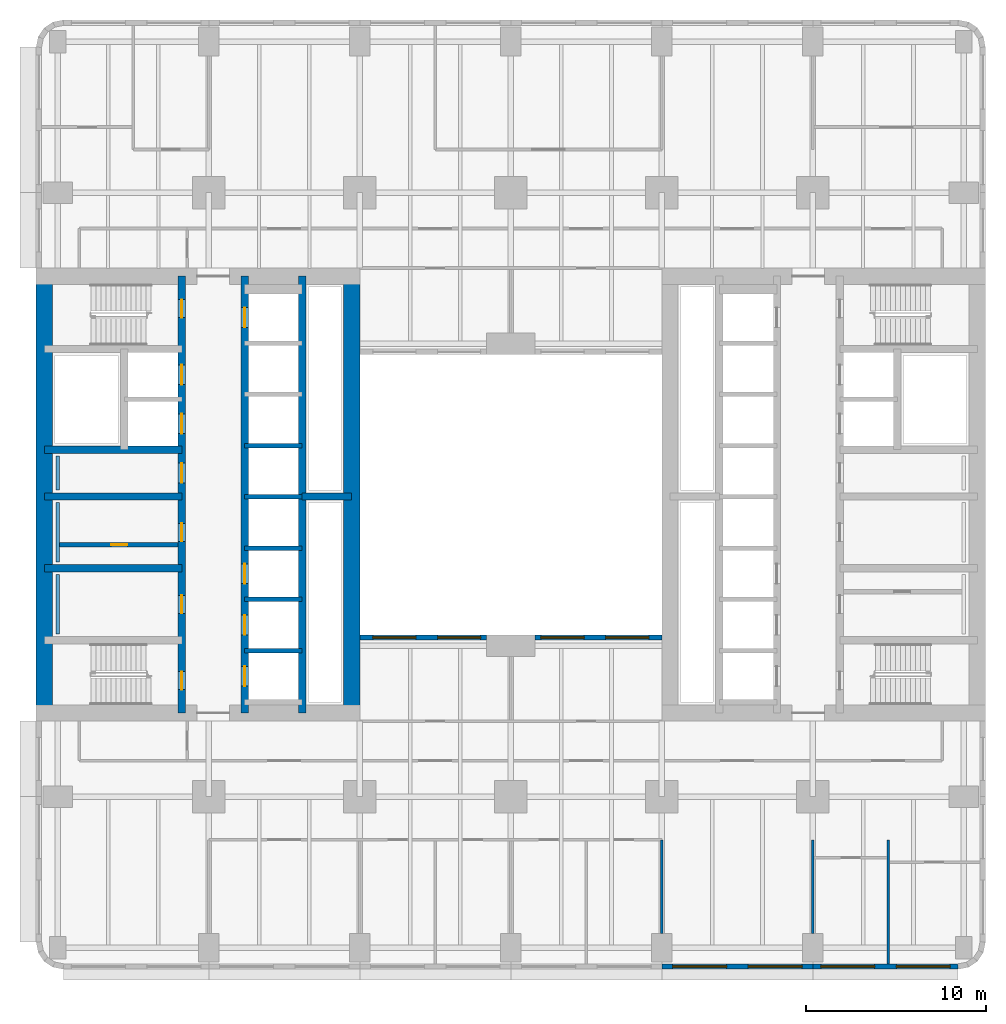
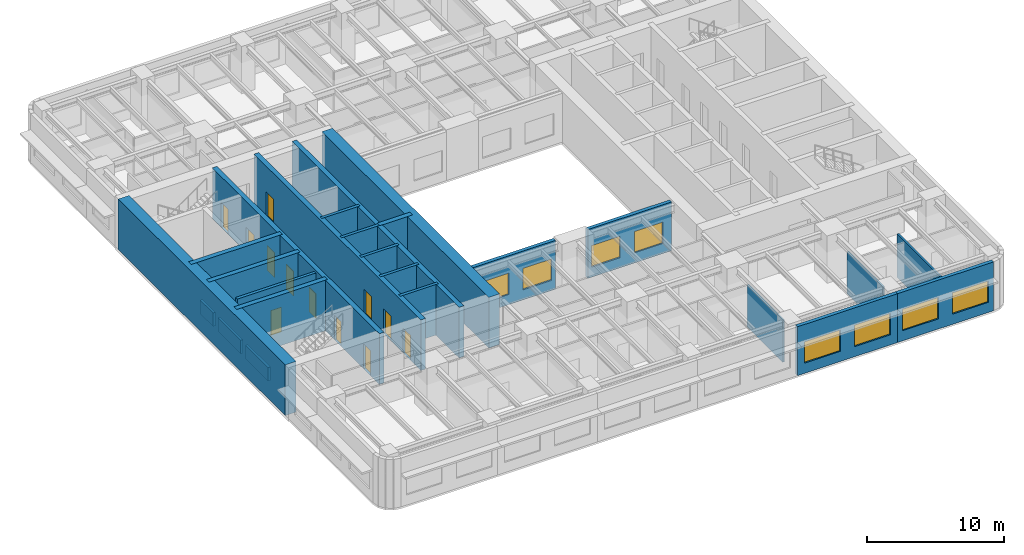
# One storey, part 4 of 14: 25 walls, 12 doors, 8 windows, 20 openings.
"""IFC4 building model written with IfcOpenShell, lengths in metres."""

from ifc_helpers import new_model, si_unit, direction, frame, frame_2d, origin, place, context, subcontext, project, spatial, rectangle, extrude, material, layer, layer_set, type_object, element, fill, save


model = new_model("IFC4")

# Units and contexts
model_context = context("Model", 3, precision=1e-05, world=origin(), true_north=direction((0.0, 1.0)))
body_context = subcontext(model_context, "Body", "Model", "MODEL_VIEW")
ifc_project = project(units=[si_unit("LENGTHUNIT", "METRE"), si_unit("AREAUNIT", "SQUARE_METRE"), si_unit("VOLUMEUNIT", "CUBIC_METRE"), si_unit("PLANEANGLEUNIT", "RADIAN"), si_unit("MASSUNIT", "GRAM", prefix="KILO")], contexts=[model_context])

# Site, building, storey
site_placement = place(None, origin())
site = spatial("IfcSite", under=ifc_project, at=site_placement, CompositionType="ELEMENT")
building_placement = place(site_placement, origin())
building = spatial("IfcBuilding", under=site, at=building_placement, Name="Claustro Exchange Tower", CompositionType="ELEMENT")
storey_placement = place(building_placement, frame((0.0, 0.0, 59.39990234375)))
storey = spatial("IfcBuildingStorey", under=building, at=storey_placement, Name="L13", CompositionType="ELEMENT", Elevation=59.39990234375)

# Walls
ifc_material_1 = material(Name="Gypsum board on steel studs", Category="steel")
ifc_layer_1 = layer(ifc_material_1, 0.14990234375)
ifc_layer_set_1 = layer_set([ifc_layer_1], Name="Gypsum board on steel studs")
wall_type_1 = type_object("IfcWallType", Name="P1 150 plasterboard partition", PredefinedType="PARTITIONING", material=ifc_layer_set_1)
for number, where, z_axis, x_axis, name in (
    (1, (33.60009765625, 0.799072265625, 0.0), (0.0, 0.0, 1.0), (0.0, 1.0, 0.0), "Partition P1 L13"),
    (2, (42.0, 0.799072265625, 0.0), (0.0, 0.0, 1.0), (0.0, 1.0, 0.0), "Partition P1 L13"),
):
    element("IfcWall", number, at=place(storey_placement, frame(where, z_axis=z_axis, x_axis=x_axis)), inside=storey, type_object=wall_type_1, Name=name, PredefinedType="PARTITIONING", context=body_context, shape_type="SweptSolid", body=[
        extrude(rectangle(XDim=5.200927734375, YDim=0.14990234375, at=frame_2d((2.6005859375, 0.0))), origin(), (0.0, 0.0, 1.0), 3.739990234375),
    ])
wall_1_placement = place(storey_placement, frame((46.199951171875, -0.902099609375, 0.0), z_axis=(0.0, 0.0, 1.0), x_axis=(0.0, 1.0, 0.0)))
element("IfcWall", 3, at=wall_1_placement, inside=storey, type_object=wall_type_1, Name="Partition P1 L13", PredefinedType="PARTITIONING", context=body_context, shape_type="SweptSolid", body=[
    extrude(rectangle(XDim=6.902099609375, YDim=0.14990234375, at=frame_2d((3.451171875, 0.0))), origin(), (0.0, 0.0, 1.0), 3.840087890625),
])

# Wall, opening, door
ifc_material_2 = material(Name="Concrete blockwork, rendered", Category="masonry")
ifc_layer_2 = layer(ifc_material_2, 0.25)
ifc_layer_set_2 = layer_set([ifc_layer_2], Name="Concrete blockwork, rendered")
wall_type_2 = type_object("IfcWallType", Name="P4 250 blockwork wall", PredefinedType="PARTITIONING", material=ifc_layer_set_2)
wall_2_placement = place(storey_placement, frame((0.10009765625, 22.39990234375, 0.0), z_axis=(0.0, 0.0, 1.0), x_axis=(1.0, 0.0, 0.0)))
wall_2 = element("IfcWall", 4, at=wall_2_placement, inside=storey, type_object=wall_type_2, Name="Partition P4 L13", PredefinedType="PARTITIONING", context=body_context, shape_type="SweptSolid", body=[
    extrude(rectangle(XDim=6.599853515625, YDim=0.25, at=frame_2d((3.2998046875, 0.0))), origin(), (0.0, 0.0, 1.0), 4.300048828125),
])
opening_1_placement = place(wall_2_placement, frame((2.875, 0.0, 0.0)))
opening_1 = element("IfcOpeningElement", 5, at=opening_1_placement, cuts=wall_2, Name="Opening D5", PredefinedType="OPENING", context=body_context, shape_type="SweptSolid", body=[
    extrude(rectangle(XDim=0.89990234375, YDim=2.199951171875, at=frame_2d((0.449951171875, 1.10009765625))), frame((0.0, 0.135009765625, 0.0), z_axis=(0.0, -1.0, 0.0), x_axis=(1.0, 0.0, 0.0)), (0.0, 0.0, 1.0), 0.27001953125),
])
ifc_material_3 = material(Name="Steel door, painted", Category="steel")
door_type_1 = type_object("IfcDoorType", Name="D5 900 x 2200 store door", OperationType="SINGLE_SWING_LEFT", PredefinedType="DOOR", material=ifc_material_3)
door_1_placement = place(opening_1_placement, frame((0.89990234375, 0.0, 0.0), z_axis=(0.0, 0.0, 1.0), x_axis=(-1.0, 0.0, 0.0)))
door_1 = element("IfcDoor", 6, at=door_1_placement, inside=storey, type_object=door_type_1, Name="Store door D5 L13", OperationType="SINGLE_SWING_RIGHT", OverallHeight=2.199951171875, OverallWidth=0.89990234375, PredefinedType="DOOR", context=body_context, shape_type="SweptSolid", body=[
    extrude(rectangle(XDim=0.89990234375, YDim=2.199951171875, at=frame_2d((0.449951171875, 1.10009765625))), frame((0.0, 0.02490234375, 0.0), z_axis=(0.0, -1.0, 0.0), x_axis=(1.0, 0.0, 0.0)), (0.0, 0.0, 1.0), 0.050048828125),
])
fill(opening_1, door_1)

# Wall, openings, windows
ifc_material_4 = material(Name="Concrete HA-40 (C40/50), precast, white cement, acid-etched", Category="concrete")
ifc_layer_3 = layer(ifc_material_4, 0.300048828125)
ifc_layer_set_3 = layer_set([ifc_layer_3], Name="Concrete HA-40 (C40/50), precast, white cement, acid-etched")
wall_type_3 = type_object("IfcWallType", Name="PC1 300 precast concrete pier panel", PredefinedType="SOLIDWALL", material=ifc_layer_set_3)
wall_3_placement = place(storey_placement, frame((50.085205078125, -1.050048828125, 0.0), z_axis=(0.0, 0.0, 1.0), x_axis=(-1.0, 0.0, 0.0)))
wall_3 = element("IfcWall", 7, at=wall_3_placement, inside=storey, type_object=wall_type_3, Name="Precast pier panel PC1 L13", PredefinedType="SOLIDWALL", context=body_context, shape_type="SweptSolid", body=[
    extrude(rectangle(XDim=8.085205078125, YDim=0.300048828125, at=frame_2d((4.04248046875, 0.0))), origin(), (0.0, 0.0, 1.0), 4.340087890625),
])
opening_2_placement = place(wall_3_placement, frame((0.442626953125, 0.0, 0.89990234375)))
opening_2 = element("IfcOpeningElement", 8, at=opening_2_placement, cuts=wall_3, Name="Opening W1", PredefinedType="OPENING", context=body_context, shape_type="SweptSolid", body=[
    extrude(rectangle(XDim=3.0, YDim=1.89990234375, at=frame_2d((1.5, 0.949951171875))), frame((0.0, 0.159912109375, 0.0), z_axis=(0.0, -1.0, 0.0), x_axis=(1.0, 0.0, 0.0)), (0.0, 0.0, 1.0), 0.320068359375),
])
opening_3_placement = place(wall_3_placement, frame((4.642578125, 0.0, 0.89990234375)))
opening_3 = element("IfcOpeningElement", 9, at=opening_3_placement, cuts=wall_3, Name="Opening W1", PredefinedType="OPENING", context=body_context, shape_type="SweptSolid", body=[
    extrude(rectangle(XDim=3.0, YDim=1.89990234375, at=frame_2d((1.5, 0.949951171875))), frame((0.0, 0.159912109375, 0.0), z_axis=(0.0, -1.0, 0.0), x_axis=(1.0, 0.0, 0.0)), (0.0, 0.0, 1.0), 0.320068359375),
])
ifc_material_5 = material(Name="Aluminium frame, clear double glazing", Category="aluminium")
window_type_1 = type_object("IfcWindowType", Name="W1 3000 x 1900 window", PartitioningType="SINGLE_PANEL", PredefinedType="WINDOW", material=ifc_material_5)
window_1_placement = place(opening_2_placement, origin())
window_1 = element("IfcWindow", 10, at=window_1_placement, inside=storey, type_object=window_type_1, Name="Window W1 L13", OverallHeight=1.89990234375, OverallWidth=3.0, PartitioningType="SINGLE_PANEL", PredefinedType="WINDOW", context=body_context, shape_type="SweptSolid", body=[
    extrude(rectangle(XDim=3.0, YDim=1.89990234375, at=frame_2d((1.5, 0.949951171875))), frame((0.0, 0.030029296875, 0.0), z_axis=(0.0, -1.0, 0.0), x_axis=(1.0, 0.0, 0.0)), (0.0, 0.0, 1.0), 0.06005859375),
])
fill(opening_2, window_1)
window_2_placement = place(opening_3_placement, origin())
window_2 = element("IfcWindow", 11, at=window_2_placement, inside=storey, type_object=window_type_1, Name="Window W1 L13", OverallHeight=1.89990234375, OverallWidth=3.0, PartitioningType="SINGLE_PANEL", PredefinedType="WINDOW", context=body_context, shape_type="SweptSolid", body=[
    extrude(rectangle(XDim=3.0, YDim=1.89990234375, at=frame_2d((1.5, 0.949951171875))), frame((0.0, 0.030029296875, 0.0), z_axis=(0.0, -1.0, 0.0), x_axis=(1.0, 0.0, 0.0)), (0.0, 0.0, 1.0), 0.06005859375),
])
fill(opening_3, window_2)

wall_4_placement = place(storey_placement, frame((42.0, -1.050048828125, 0.0), z_axis=(0.0, 0.0, 1.0), x_axis=(-1.0, 0.0, 0.0)))
wall_4 = element("IfcWall", 12, at=wall_4_placement, inside=storey, type_object=wall_type_3, Name="Precast pier panel PC1 L13", PredefinedType="SOLIDWALL", context=body_context, shape_type="SweptSolid", body=[
    extrude(rectangle(XDim=8.39990234375, YDim=0.300048828125, at=frame_2d((4.199951171875, 0.0))), origin(), (0.0, 0.0, 1.0), 4.340087890625),
])
opening_4_placement = place(wall_4_placement, frame((0.60009765625, 0.0, 0.89990234375)))
opening_4 = element("IfcOpeningElement", 13, at=opening_4_placement, cuts=wall_4, Name="Opening W1", PredefinedType="OPENING", context=body_context, shape_type="SweptSolid", body=[
    extrude(rectangle(XDim=3.0, YDim=1.89990234375, at=frame_2d((1.5, 0.949951171875))), frame((0.0, 0.159912109375, 0.0), z_axis=(0.0, -1.0, 0.0), x_axis=(1.0, 0.0, 0.0)), (0.0, 0.0, 1.0), 0.320068359375),
])
opening_5_placement = place(wall_4_placement, frame((4.800048828125, 0.0, 0.89990234375)))
opening_5 = element("IfcOpeningElement", 14, at=opening_5_placement, cuts=wall_4, Name="Opening W1", PredefinedType="OPENING", context=body_context, shape_type="SweptSolid", body=[
    extrude(rectangle(XDim=3.0, YDim=1.89990234375, at=frame_2d((1.5, 0.949951171875))), frame((0.0, 0.159912109375, 0.0), z_axis=(0.0, -1.0, 0.0), x_axis=(1.0, 0.0, 0.0)), (0.0, 0.0, 1.0), 0.320068359375),
])
window_3_placement = place(opening_4_placement, origin())
window_3 = element("IfcWindow", 15, at=window_3_placement, inside=storey, type_object=window_type_1, Name="Window W1 L13", OverallHeight=1.89990234375, OverallWidth=3.0, PartitioningType="SINGLE_PANEL", PredefinedType="WINDOW", context=body_context, shape_type="SweptSolid", body=[
    extrude(rectangle(XDim=3.0, YDim=1.89990234375, at=frame_2d((1.5, 0.949951171875))), frame((0.0, 0.030029296875, 0.0), z_axis=(0.0, -1.0, 0.0), x_axis=(1.0, 0.0, 0.0)), (0.0, 0.0, 1.0), 0.06005859375),
])
fill(opening_4, window_3)
window_4_placement = place(opening_5_placement, origin())
window_4 = element("IfcWindow", 16, at=window_4_placement, inside=storey, type_object=window_type_1, Name="Window W1 L13", OverallHeight=1.89990234375, OverallWidth=3.0, PartitioningType="SINGLE_PANEL", PredefinedType="WINDOW", context=body_context, shape_type="SweptSolid", body=[
    extrude(rectangle(XDim=3.0, YDim=1.89990234375, at=frame_2d((1.5, 0.949951171875))), frame((0.0, 0.030029296875, 0.0), z_axis=(0.0, -1.0, 0.0), x_axis=(1.0, 0.0, 0.0)), (0.0, 0.0, 1.0), 0.06005859375),
])
fill(opening_5, window_4)

wall_5_placement = place(storey_placement, frame((16.800048828125, 17.25, 0.0), z_axis=(0.0, 0.0, 1.0), x_axis=(1.0, 0.0, 0.0)))
wall_5 = element("IfcWall", 17, at=wall_5_placement, inside=storey, type_object=wall_type_3, Name="Precast pier panel PC1 L13", PredefinedType="SOLIDWALL", context=body_context, shape_type="SweptSolid", body=[
    extrude(rectangle(XDim=7.050048828125, YDim=0.300048828125, at=frame_2d((3.52490234375, 0.0))), origin(), (0.0, 0.0, 1.0), 4.340087890625),
])
opening_6_placement = place(wall_5_placement, frame((0.72509765625, 0.0, 0.89990234375)))
opening_6 = element("IfcOpeningElement", 18, at=opening_6_placement, cuts=wall_5, Name="Opening W2", PredefinedType="OPENING", context=body_context, shape_type="SweptSolid", body=[
    extrude(rectangle(XDim=2.39990234375, YDim=1.89990234375, at=frame_2d((1.199951171875, 0.949951171875))), frame((0.0, 0.159912109375, 0.0), z_axis=(0.0, -1.0, 0.0), x_axis=(1.0, 0.0, 0.0)), (0.0, 0.0, 1.0), 0.320068359375),
])
opening_7_placement = place(wall_5_placement, frame((4.324951171875, 0.0, 0.89990234375)))
opening_7 = element("IfcOpeningElement", 19, at=opening_7_placement, cuts=wall_5, Name="Opening W2", PredefinedType="OPENING", context=body_context, shape_type="SweptSolid", body=[
    extrude(rectangle(XDim=2.39990234375, YDim=1.89990234375, at=frame_2d((1.199951171875, 0.949951171875))), frame((0.0, 0.159912109375, 0.0), z_axis=(0.0, -1.0, 0.0), x_axis=(1.0, 0.0, 0.0)), (0.0, 0.0, 1.0), 0.320068359375),
])
ifc_material_6 = material(Name="Aluminium frame, clear double glazing", Category="aluminium")
window_type_2 = type_object("IfcWindowType", Name="W2 2400 x 1900 window", PartitioningType="SINGLE_PANEL", PredefinedType="WINDOW", material=ifc_material_6)
window_5_placement = place(opening_6_placement, origin())
window_5 = element("IfcWindow", 20, at=window_5_placement, inside=storey, type_object=window_type_2, Name="Window W2 L13", OverallHeight=1.89990234375, OverallWidth=2.39990234375, PartitioningType="SINGLE_PANEL", PredefinedType="WINDOW", context=body_context, shape_type="SweptSolid", body=[
    extrude(rectangle(XDim=2.39990234375, YDim=1.89990234375, at=frame_2d((1.199951171875, 0.949951171875))), frame((0.0, 0.030029296875, 0.0), z_axis=(0.0, -1.0, 0.0), x_axis=(1.0, 0.0, 0.0)), (0.0, 0.0, 1.0), 0.06005859375),
])
fill(opening_6, window_5)
window_6_placement = place(opening_7_placement, origin())
window_6 = element("IfcWindow", 21, at=window_6_placement, inside=storey, type_object=window_type_2, Name="Window W2 L13", OverallHeight=1.89990234375, OverallWidth=2.39990234375, PartitioningType="SINGLE_PANEL", PredefinedType="WINDOW", context=body_context, shape_type="SweptSolid", body=[
    extrude(rectangle(XDim=2.39990234375, YDim=1.89990234375, at=frame_2d((1.199951171875, 0.949951171875))), frame((0.0, 0.030029296875, 0.0), z_axis=(0.0, -1.0, 0.0), x_axis=(1.0, 0.0, 0.0)), (0.0, 0.0, 1.0), 0.06005859375),
])
fill(opening_7, window_6)

wall_6_placement = place(storey_placement, frame((26.550048828125, 17.25, 0.0), z_axis=(0.0, 0.0, 1.0), x_axis=(1.0, 0.0, 0.0)))
wall_6 = element("IfcWall", 22, at=wall_6_placement, inside=storey, type_object=wall_type_3, Name="Precast pier panel PC1 L13", PredefinedType="SOLIDWALL", context=body_context, shape_type="SweptSolid", body=[
    extrude(rectangle(XDim=7.050048828125, YDim=0.300048828125, at=frame_2d((3.52490234375, 0.0))), origin(), (0.0, 0.0, 1.0), 4.340087890625),
])
opening_8_placement = place(wall_6_placement, frame((0.324951171875, 0.0, 0.89990234375)))
opening_8 = element("IfcOpeningElement", 23, at=opening_8_placement, cuts=wall_6, Name="Opening W2", PredefinedType="OPENING", context=body_context, shape_type="SweptSolid", body=[
    extrude(rectangle(XDim=2.39990234375, YDim=1.89990234375, at=frame_2d((1.199951171875, 0.949951171875))), frame((0.0, 0.159912109375, 0.0), z_axis=(0.0, -1.0, 0.0), x_axis=(1.0, 0.0, 0.0)), (0.0, 0.0, 1.0), 0.320068359375),
])
opening_9_placement = place(wall_6_placement, frame((3.925048828125, 0.0, 0.89990234375)))
opening_9 = element("IfcOpeningElement", 24, at=opening_9_placement, cuts=wall_6, Name="Opening W2", PredefinedType="OPENING", context=body_context, shape_type="SweptSolid", body=[
    extrude(rectangle(XDim=2.39990234375, YDim=1.89990234375, at=frame_2d((1.199951171875, 0.949951171875))), frame((0.0, 0.159912109375, 0.0), z_axis=(0.0, -1.0, 0.0), x_axis=(1.0, 0.0, 0.0)), (0.0, 0.0, 1.0), 0.320068359375),
])
window_7_placement = place(opening_8_placement, origin())
window_7 = element("IfcWindow", 25, at=window_7_placement, inside=storey, type_object=window_type_2, Name="Window W2 L13", OverallHeight=1.89990234375, OverallWidth=2.39990234375, PartitioningType="SINGLE_PANEL", PredefinedType="WINDOW", context=body_context, shape_type="SweptSolid", body=[
    extrude(rectangle(XDim=2.39990234375, YDim=1.89990234375, at=frame_2d((1.199951171875, 0.949951171875))), frame((0.0, 0.030029296875, 0.0), z_axis=(0.0, -1.0, 0.0), x_axis=(1.0, 0.0, 0.0)), (0.0, 0.0, 1.0), 0.06005859375),
])
fill(opening_8, window_7)
window_8_placement = place(opening_9_placement, origin())
window_8 = element("IfcWindow", 26, at=window_8_placement, inside=storey, type_object=window_type_2, Name="Window W2 L13", OverallHeight=1.89990234375, OverallWidth=2.39990234375, PartitioningType="SINGLE_PANEL", PredefinedType="WINDOW", context=body_context, shape_type="SweptSolid", body=[
    extrude(rectangle(XDim=2.39990234375, YDim=1.89990234375, at=frame_2d((1.199951171875, 0.949951171875))), frame((0.0, 0.030029296875, 0.0), z_axis=(0.0, -1.0, 0.0), x_axis=(1.0, 0.0, 0.0)), (0.0, 0.0, 1.0), 0.06005859375),
])
fill(opening_9, window_8)

# Walls
ifc_material_7 = material(Name="Gypsum board on steel studs, tiled", Category="steel")
ifc_layer_4 = layer(ifc_material_7, 0.199951171875)
ifc_layer_set_4 = layer_set([ifc_layer_4], Name="Gypsum board on steel studs, tiled")
wall_type_4 = type_object("IfcWallType", Name="PW1 200 WC duct wall", PredefinedType="PLUMBINGWALL", material=ifc_layer_set_4)
for number, where, z_axis, x_axis, name in (
    (27, (0.0, 17.449951171875, 0.0), (0.0, 0.0, 1.0), (0.0, 1.0, 0.0), "WC duct wall PW1 L13"),
    (28, (0.0, 21.449951171875, 0.0), (0.0, 0.0, 1.0), (0.0, 1.0, 0.0), "WC duct wall PW1 L13"),
):
    element("IfcWall", number, at=place(storey_placement, frame(where, z_axis=z_axis, x_axis=x_axis)), inside=storey, type_object=wall_type_4, Name=name, PredefinedType="PLUMBINGWALL", context=body_context, shape_type="SweptSolid", body=[
        extrude(rectangle(XDim=3.300048828125, YDim=0.199951171875, at=frame_2d((1.64990234375, 0.0))), origin(), (0.0, 0.0, 1.0), 1.2001953125),
    ])
wall_7_placement = place(storey_placement, frame((0.0, 25.449951171875, 0.0), z_axis=(0.0, 0.0, 1.0), x_axis=(0.0, 1.0, 0.0)))
element("IfcWall", 29, at=wall_7_placement, inside=storey, type_object=wall_type_4, Name="WC duct wall PW1 L13", PredefinedType="PLUMBINGWALL", context=body_context, shape_type="SweptSolid", body=[
    extrude(rectangle(XDim=1.900146484375, YDim=0.199951171875, at=frame_2d((0.9501953125, 0.0))), origin(), (0.0, 0.0, 1.0), 1.2001953125),
])
ifc_material_8 = material(Name="Concrete HA-70 (C70/85)", Category="concrete")
ifc_layer_5 = layer(ifc_material_8, 0.89990234375)
ifc_layer_set_5 = layer_set([ifc_layer_5], Name="Concrete HA-70 (C70/85)")
wall_type_5 = type_object("IfcWallType", Name="SW1X 900 exposed core shear wall, board-marked face", PredefinedType="SHEAR", material=ifc_layer_set_5)
for number, where, z_axis, x_axis, name in (
    (30, (-0.75, 13.050048828125, 0.0), (0.0, 0.0, 1.0), (0.0, 1.0, 0.0), "Core wall SW1X W core W face L13"),
    (31, (16.35009765625, 13.050048828125, 0.0), (0.0, 0.0, 1.0), (0.0, 1.0, 0.0), "Core wall SW1X W core E face L13"),
):
    element("IfcWall", number, at=place(storey_placement, frame(where, z_axis=z_axis, x_axis=x_axis)), inside=storey, type_object=wall_type_5, Name=name, PredefinedType="SHEAR", context=body_context, shape_type="SweptSolid", body=[
        extrude(rectangle(XDim=24.300048828125, YDim=0.89990234375, at=frame_2d((12.14990234375, 0.0))), origin(), (0.0, 0.0, 1.0), 4.5),
    ])

# Wall, openings, doors
ifc_material_9 = material(Name="Concrete HA-50 (C50/60)", Category="concrete")
ifc_layer_6 = layer(ifc_material_9, 0.39990234375)
ifc_layer_set_6 = layer_set([ifc_layer_6], Name="Concrete HA-50 (C50/60)")
wall_type_6 = type_object("IfcWallType", Name="SW4 400 internal core wall", PredefinedType="SHEAR", material=ifc_layer_set_6)
wall_8_placement = place(storey_placement, frame((6.89990234375, 13.050048828125, 0.0), z_axis=(0.0, 0.0, 1.0), x_axis=(0.0, 1.0, 0.0)))
wall_8 = element("IfcWall", 32, at=wall_8_placement, inside=storey, type_object=wall_type_6, Name="Internal core wall SW4 W core L13", PredefinedType="SHEAR", context=body_context, shape_type="SweptSolid", body=[
    extrude(rectangle(XDim=24.300048828125, YDim=0.39990234375, at=frame_2d((12.14990234375, 0.0))), origin(), (0.0, 0.0, 1.0), 4.5),
])
opening_10_placement = place(wall_8_placement, frame((1.300048828125, 0.0, 0.0)))
opening_10 = element("IfcOpeningElement", 33, at=opening_10_placement, cuts=wall_8, Name="Opening D4", PredefinedType="OPENING", context=body_context, shape_type="SweptSolid", body=[
    extrude(rectangle(XDim=1.0, YDim=2.199951171875, at=frame_2d((0.5, 1.10009765625))), frame((0.0, 0.2099609375, 0.0), z_axis=(0.0, -1.0, 0.0), x_axis=(1.0, 0.0, 0.0)), (0.0, 0.0, 1.0), 0.419921875),
])
opening_11_placement = place(wall_8_placement, frame((22.0, 0.0, 0.0)))
opening_11 = element("IfcOpeningElement", 34, at=opening_11_placement, cuts=wall_8, Name="Opening D4", PredefinedType="OPENING", context=body_context, shape_type="SweptSolid", body=[
    extrude(rectangle(XDim=1.0, YDim=2.199951171875, at=frame_2d((0.5, 1.10009765625))), frame((0.0, 0.2099609375, 0.0), z_axis=(0.0, -1.0, 0.0), x_axis=(1.0, 0.0, 0.0)), (0.0, 0.0, 1.0), 0.419921875),
])
opening_12_placement = place(wall_8_placement, frame((5.550048828125, 0.0, 0.0)))
opening_12 = element("IfcOpeningElement", 35, at=opening_12_placement, cuts=wall_8, Name="Opening D1", PredefinedType="OPENING", context=body_context, shape_type="SweptSolid", body=[
    extrude(rectangle(XDim=1.0, YDim=2.199951171875, at=frame_2d((0.5, 1.10009765625))), frame((0.0, 0.2099609375, 0.0), z_axis=(0.0, -1.0, 0.0), x_axis=(1.0, 0.0, 0.0)), (0.0, 0.0, 1.0), 0.419921875),
])
opening_13_placement = place(wall_8_placement, frame((9.550048828125, 0.0, 0.0)))
opening_13 = element("IfcOpeningElement", 36, at=opening_13_placement, cuts=wall_8, Name="Opening D1", PredefinedType="OPENING", context=body_context, shape_type="SweptSolid", body=[
    extrude(rectangle(XDim=1.0, YDim=2.199951171875, at=frame_2d((0.5, 1.10009765625))), frame((0.0, 0.2099609375, 0.0), z_axis=(0.0, -1.0, 0.0), x_axis=(1.0, 0.0, 0.0)), (0.0, 0.0, 1.0), 0.419921875),
])
opening_14_placement = place(wall_8_placement, frame((12.800048828125, 0.0, 0.0)))
opening_14 = element("IfcOpeningElement", 37, at=opening_14_placement, cuts=wall_8, Name="Opening D10", PredefinedType="OPENING", context=body_context, shape_type="SweptSolid", body=[
    extrude(rectangle(XDim=1.10009765625, YDim=2.199951171875, at=frame_2d((0.550048828125, 1.10009765625))), frame((0.0, 0.2099609375, 0.0), z_axis=(0.0, -1.0, 0.0), x_axis=(1.0, 0.0, 0.0)), (0.0, 0.0, 1.0), 0.419921875),
])
opening_15_placement = place(wall_8_placement, frame((15.53759765625, 0.0, 0.0)))
opening_15 = element("IfcOpeningElement", 38, at=opening_15_placement, cuts=wall_8, Name="Opening LD", PredefinedType="OPENING", context=body_context, shape_type="SweptSolid", body=[
    extrude(rectangle(XDim=1.10009765625, YDim=2.199951171875, at=frame_2d((0.550048828125, 1.10009765625))), frame((0.0, 0.2099609375, 0.0), z_axis=(0.0, -1.0, 0.0), x_axis=(1.0, 0.0, 0.0)), (0.0, 0.0, 1.0), 0.419921875),
])
opening_16_placement = place(wall_8_placement, frame((18.262451171875, 0.0, 0.0)))
opening_16 = element("IfcOpeningElement", 39, at=opening_16_placement, cuts=wall_8, Name="Opening LD", PredefinedType="OPENING", context=body_context, shape_type="SweptSolid", body=[
    extrude(rectangle(XDim=1.10009765625, YDim=2.199951171875, at=frame_2d((0.550048828125, 1.10009765625))), frame((0.0, 0.2099609375, 0.0), z_axis=(0.0, -1.0, 0.0), x_axis=(1.0, 0.0, 0.0)), (0.0, 0.0, 1.0), 0.419921875),
])
ifc_material_10 = material(Name="Timber door, oak veneer", Category="wood")
door_type_2 = type_object("IfcDoorType", Name="D1 1000 x 2200 single door", OperationType="SINGLE_SWING_LEFT", PredefinedType="DOOR", material=ifc_material_10)
door_2_placement = place(opening_12_placement, origin())
door_2 = element("IfcDoor", 40, at=door_2_placement, inside=storey, type_object=door_type_2, Name="Door D1 L13", OperationType="SINGLE_SWING_RIGHT", OverallHeight=2.199951171875, OverallWidth=1.0, PredefinedType="DOOR", context=body_context, shape_type="SweptSolid", body=[
    extrude(rectangle(XDim=1.0, YDim=2.199951171875, at=frame_2d((0.5, 1.10009765625))), frame((0.0, 0.02490234375, 0.0), z_axis=(0.0, -1.0, 0.0), x_axis=(1.0, 0.0, 0.0)), (0.0, 0.0, 1.0), 0.050048828125),
])
fill(opening_12, door_2)
door_3_placement = place(opening_13_placement, origin())
door_3 = element("IfcDoor", 41, at=door_3_placement, inside=storey, type_object=door_type_2, Name="Door D1 L13", OperationType="SINGLE_SWING_LEFT", OverallHeight=2.199951171875, OverallWidth=1.0, PredefinedType="DOOR", context=body_context, shape_type="SweptSolid", body=[
    extrude(rectangle(XDim=1.0, YDim=2.199951171875, at=frame_2d((0.5, 1.10009765625))), frame((0.0, 0.02490234375, 0.0), z_axis=(0.0, -1.0, 0.0), x_axis=(1.0, 0.0, 0.0)), (0.0, 0.0, 1.0), 0.050048828125),
])
fill(opening_13, door_3)
ifc_material_11 = material(Name="Timber door, oak veneer", Category="wood")
door_type_3 = type_object("IfcDoorType", Name="D10 1100 x 2200 accessible WC door", OperationType="SINGLE_SWING_LEFT", PredefinedType="DOOR", material=ifc_material_11)
door_4_placement = place(opening_14_placement, frame((1.10009765625, 0.0, 0.0), z_axis=(0.0, 0.0, 1.0), x_axis=(-1.0, 0.0, 0.0)))
door_4 = element("IfcDoor", 42, at=door_4_placement, inside=storey, type_object=door_type_3, Name="Accessible WC door D10 L13", OperationType="SINGLE_SWING_LEFT", OverallHeight=2.199951171875, OverallWidth=1.10009765625, PredefinedType="DOOR", context=body_context, shape_type="SweptSolid", body=[
    extrude(rectangle(XDim=1.10009765625, YDim=2.199951171875, at=frame_2d((0.550048828125, 1.10009765625))), frame((0.0, 0.02490234375, 0.0), z_axis=(0.0, -1.0, 0.0), x_axis=(1.0, 0.0, 0.0)), (0.0, 0.0, 1.0), 0.050048828125),
])
fill(opening_14, door_4)
ifc_material_12 = material(Name="Steel fire door, painted", Category="steel")
door_type_4 = type_object("IfcDoorType", Name="D4 1000 x 2200 fire-rated stair door", OperationType="SINGLE_SWING_LEFT", PredefinedType="DOOR", material=ifc_material_12)
door_5_placement = place(opening_10_placement, origin())
door_5 = element("IfcDoor", 43, at=door_5_placement, inside=storey, type_object=door_type_4, Name="Stair door D4 L13", OperationType="SINGLE_SWING_LEFT", OverallHeight=2.199951171875, OverallWidth=1.0, PredefinedType="DOOR", context=body_context, shape_type="SweptSolid", body=[
    extrude(rectangle(XDim=1.0, YDim=2.199951171875, at=frame_2d((0.5, 1.10009765625))), frame((0.0, 0.02490234375, 0.0), z_axis=(0.0, -1.0, 0.0), x_axis=(1.0, 0.0, 0.0)), (0.0, 0.0, 1.0), 0.050048828125),
])
fill(opening_10, door_5)
door_6_placement = place(opening_11_placement, origin())
door_6 = element("IfcDoor", 44, at=door_6_placement, inside=storey, type_object=door_type_4, Name="Stair door D4 L13", OperationType="SINGLE_SWING_RIGHT", OverallHeight=2.199951171875, OverallWidth=1.0, PredefinedType="DOOR", context=body_context, shape_type="SweptSolid", body=[
    extrude(rectangle(XDim=1.0, YDim=2.199951171875, at=frame_2d((0.5, 1.10009765625))), frame((0.0, 0.02490234375, 0.0), z_axis=(0.0, -1.0, 0.0), x_axis=(1.0, 0.0, 0.0)), (0.0, 0.0, 1.0), 0.050048828125),
])
fill(opening_11, door_6)
ifc_material_13 = material(Name="Stainless steel sliding door", Category="steel")
door_type_5 = type_object("IfcDoorType", Name="LD 1100 x 2200 lift landing door", OperationType="DOUBLE_DOOR_SLIDING", PredefinedType="DOOR", material=ifc_material_13)
door_7_placement = place(opening_15_placement, origin())
door_7 = element("IfcDoor", 45, at=door_7_placement, inside=storey, type_object=door_type_5, Name="Lift landing door LEW1 LD L13", OperationType="DOUBLE_DOOR_SLIDING", OverallHeight=2.199951171875, OverallWidth=1.10009765625, PredefinedType="DOOR", context=body_context, shape_type="SweptSolid", body=[
    extrude(rectangle(XDim=1.10009765625, YDim=2.199951171875, at=frame_2d((0.550048828125, 1.10009765625))), frame((0.0, 0.02490234375, 0.0), z_axis=(0.0, -1.0, 0.0), x_axis=(1.0, 0.0, 0.0)), (0.0, 0.0, 1.0), 0.050048828125),
])
fill(opening_15, door_7)
door_8_placement = place(opening_16_placement, origin())
door_8 = element("IfcDoor", 46, at=door_8_placement, inside=storey, type_object=door_type_5, Name="Lift landing door LEW2 LD L13", OperationType="DOUBLE_DOOR_SLIDING", OverallHeight=2.199951171875, OverallWidth=1.10009765625, PredefinedType="DOOR", context=body_context, shape_type="SweptSolid", body=[
    extrude(rectangle(XDim=1.10009765625, YDim=2.199951171875, at=frame_2d((0.550048828125, 1.10009765625))), frame((0.0, 0.02490234375, 0.0), z_axis=(0.0, -1.0, 0.0), x_axis=(1.0, 0.0, 0.0)), (0.0, 0.0, 1.0), 0.050048828125),
])
fill(opening_16, door_8)

wall_9_placement = place(storey_placement, frame((10.39990234375, 13.050048828125, 0.0), z_axis=(0.0, 0.0, 1.0), x_axis=(0.0, 1.0, 0.0)))
wall_9 = element("IfcWall", 47, at=wall_9_placement, inside=storey, type_object=wall_type_6, Name="Internal core wall SW4 W core L13", PredefinedType="SHEAR", context=body_context, shape_type="SweptSolid", body=[
    extrude(rectangle(XDim=24.300048828125, YDim=0.39990234375, at=frame_2d((12.14990234375, 0.0))), origin(), (0.0, 0.0, 1.0), 4.5),
])
opening_17_placement = place(wall_9_placement, frame((1.5, 0.0, 0.0)))
opening_17 = element("IfcOpeningElement", 48, at=opening_17_placement, cuts=wall_9, Name="Opening LD", PredefinedType="OPENING", context=body_context, shape_type="SweptSolid", body=[
    extrude(rectangle(XDim=1.10009765625, YDim=2.199951171875, at=frame_2d((0.550048828125, 1.10009765625))), frame((0.0, 0.2099609375, 0.0), z_axis=(0.0, -1.0, 0.0), x_axis=(1.0, 0.0, 0.0)), (0.0, 0.0, 1.0), 0.419921875),
])
opening_18_placement = place(wall_9_placement, frame((4.35009765625, 0.0, 0.0)))
opening_18 = element("IfcOpeningElement", 49, at=opening_18_placement, cuts=wall_9, Name="Opening LD", PredefinedType="OPENING", context=body_context, shape_type="SweptSolid", body=[
    extrude(rectangle(XDim=1.10009765625, YDim=2.199951171875, at=frame_2d((0.550048828125, 1.10009765625))), frame((0.0, 0.2099609375, 0.0), z_axis=(0.0, -1.0, 0.0), x_axis=(1.0, 0.0, 0.0)), (0.0, 0.0, 1.0), 0.419921875),
])
opening_19_placement = place(wall_9_placement, frame((7.199951171875, 0.0, 0.0)))
opening_19 = element("IfcOpeningElement", 50, at=opening_19_placement, cuts=wall_9, Name="Opening LD", PredefinedType="OPENING", context=body_context, shape_type="SweptSolid", body=[
    extrude(rectangle(XDim=1.10009765625, YDim=2.199951171875, at=frame_2d((0.550048828125, 1.10009765625))), frame((0.0, 0.2099609375, 0.0), z_axis=(0.0, -1.0, 0.0), x_axis=(1.0, 0.0, 0.0)), (0.0, 0.0, 1.0), 0.419921875),
])
opening_20_placement = place(wall_9_placement, frame((21.449951171875, 0.0, 0.0)))
opening_20 = element("IfcOpeningElement", 51, at=opening_20_placement, cuts=wall_9, Name="Opening LD", PredefinedType="OPENING", context=body_context, shape_type="SweptSolid", body=[
    extrude(rectangle(XDim=1.10009765625, YDim=2.199951171875, at=frame_2d((0.550048828125, 1.10009765625))), frame((0.0, 0.2099609375, 0.0), z_axis=(0.0, -1.0, 0.0), x_axis=(1.0, 0.0, 0.0)), (0.0, 0.0, 1.0), 0.419921875),
])
door_9_placement = place(opening_17_placement, origin())
door_9 = element("IfcDoor", 52, at=door_9_placement, inside=storey, type_object=door_type_5, Name="Lift landing door LLW1 LD L13", OperationType="DOUBLE_DOOR_SLIDING", OverallHeight=2.199951171875, OverallWidth=1.10009765625, PredefinedType="DOOR", context=body_context, shape_type="SweptSolid", body=[
    extrude(rectangle(XDim=1.10009765625, YDim=2.199951171875, at=frame_2d((0.550048828125, 1.10009765625))), frame((0.0, 0.02490234375, 0.0), z_axis=(0.0, -1.0, 0.0), x_axis=(1.0, 0.0, 0.0)), (0.0, 0.0, 1.0), 0.050048828125),
])
fill(opening_17, door_9)
door_10_placement = place(opening_18_placement, origin())
door_10 = element("IfcDoor", 53, at=door_10_placement, inside=storey, type_object=door_type_5, Name="Lift landing door LLW2 LD L13", OperationType="DOUBLE_DOOR_SLIDING", OverallHeight=2.199951171875, OverallWidth=1.10009765625, PredefinedType="DOOR", context=body_context, shape_type="SweptSolid", body=[
    extrude(rectangle(XDim=1.10009765625, YDim=2.199951171875, at=frame_2d((0.550048828125, 1.10009765625))), frame((0.0, 0.02490234375, 0.0), z_axis=(0.0, -1.0, 0.0), x_axis=(1.0, 0.0, 0.0)), (0.0, 0.0, 1.0), 0.050048828125),
])
fill(opening_18, door_10)
door_11_placement = place(opening_19_placement, origin())
door_11 = element("IfcDoor", 54, at=door_11_placement, inside=storey, type_object=door_type_5, Name="Lift landing door LLW3 LD L13", OperationType="DOUBLE_DOOR_SLIDING", OverallHeight=2.199951171875, OverallWidth=1.10009765625, PredefinedType="DOOR", context=body_context, shape_type="SweptSolid", body=[
    extrude(rectangle(XDim=1.10009765625, YDim=2.199951171875, at=frame_2d((0.550048828125, 1.10009765625))), frame((0.0, 0.02490234375, 0.0), z_axis=(0.0, -1.0, 0.0), x_axis=(1.0, 0.0, 0.0)), (0.0, 0.0, 1.0), 0.050048828125),
])
fill(opening_19, door_11)
door_12_placement = place(opening_20_placement, origin())
door_12 = element("IfcDoor", 55, at=door_12_placement, inside=storey, type_object=door_type_5, Name="Lift landing door LSW1 LD L13", OperationType="DOUBLE_DOOR_SLIDING", OverallHeight=2.199951171875, OverallWidth=1.10009765625, PredefinedType="DOOR", context=body_context, shape_type="SweptSolid", body=[
    extrude(rectangle(XDim=1.10009765625, YDim=2.199951171875, at=frame_2d((0.550048828125, 1.10009765625))), frame((0.0, 0.02490234375, 0.0), z_axis=(0.0, -1.0, 0.0), x_axis=(1.0, 0.0, 0.0)), (0.0, 0.0, 1.0), 0.050048828125),
])
fill(opening_20, door_12)

# Walls
wall_10_placement = place(storey_placement, frame((13.60009765625, 13.050048828125, 0.0), z_axis=(0.0, 0.0, 1.0), x_axis=(0.0, 1.0, 0.0)))
element("IfcWall", 56, at=wall_10_placement, inside=storey, type_object=wall_type_6, Name="Internal core wall SW4 W core L13", PredefinedType="SHEAR", context=body_context, shape_type="SweptSolid", body=[
    extrude(rectangle(XDim=24.300048828125, YDim=0.39990234375, at=frame_2d((12.14990234375, 0.0))), origin(), (0.0, 0.0, 1.0), 4.5),
])
for number, where, z_axis, x_axis, name in (
    (57, (-0.75, 21.10009765625, 0.0), (0.0, 0.0, 1.0), (1.0, 0.0, 0.0), "Internal core wall SW4 W core L13"),
    (58, (-0.75, 25.10009765625, 0.0), (0.0, 0.0, 1.0), (1.0, 0.0, 0.0), "Internal core wall SW4 W core L13"),
    (59, (-0.75, 27.699951171875, 0.0), (0.0, 0.0, 1.0), (1.0, 0.0, 0.0), "Internal core wall SW4 W core L13"),
):
    element("IfcWall", number, at=place(storey_placement, frame(where, z_axis=z_axis, x_axis=x_axis)), inside=storey, type_object=wall_type_6, Name=name, PredefinedType="SHEAR", context=body_context, shape_type="SweptSolid", body=[
        extrude(rectangle(XDim=7.64990234375, YDim=0.39990234375, at=frame_2d((3.824951171875, 0.0))), origin(), (0.0, 0.0, 1.0), 4.5),
    ])
wall_11_placement = place(storey_placement, frame((13.60009765625, 25.10009765625, 0.0), z_axis=(0.0, 0.0, 1.0), x_axis=(1.0, 0.0, 0.0)))
element("IfcWall", 60, at=wall_11_placement, inside=storey, type_object=wall_type_6, Name="Internal core wall SW4 W core L13", PredefinedType="SHEAR", context=body_context, shape_type="SweptSolid", body=[
    extrude(rectangle(XDim=2.75, YDim=0.39990234375, at=frame_2d((1.375, 0.0))), origin(), (0.0, 0.0, 1.0), 4.5),
])
ifc_material_14 = material(Name="Concrete HA-50 (C50/60)", Category="concrete")
ifc_layer_7 = layer(ifc_material_14, 0.25)
ifc_layer_set_7 = layer_set([ifc_layer_7], Name="Concrete HA-50 (C50/60)")
wall_type_7 = type_object("IfcWallType", Name="SW5 250 lift shaft divider wall", PredefinedType="SHEAR", material=ifc_layer_set_7)
for number, where, z_axis, x_axis, name in (
    (61, (10.39990234375, 16.52490234375, 0.0), (0.0, 0.0, 1.0), (1.0, 0.0, 0.0), "Lift shaft wall W core L13"),
    (62, (10.39990234375, 19.375, 0.0), (0.0, 0.0, 1.0), (1.0, 0.0, 0.0), "Lift shaft wall W core L13"),
    (63, (10.39990234375, 22.22509765625, 0.0), (0.0, 0.0, 1.0), (1.0, 0.0, 0.0), "Lift shaft wall W core L13"),
    (64, (10.39990234375, 25.074951171875, 0.0), (0.0, 0.0, 1.0), (1.0, 0.0, 0.0), "Lift shaft wall W core L13"),
    (65, (10.39990234375, 27.925048828125, 0.0), (0.0, 0.0, 1.0), (1.0, 0.0, 0.0), "Lift shaft wall W core L13"),
):
    element("IfcWall", number, at=place(storey_placement, frame(where, z_axis=z_axis, x_axis=x_axis)), inside=storey, type_object=wall_type_7, Name=name, PredefinedType="SHEAR", context=body_context, shape_type="SweptSolid", body=[
        extrude(rectangle(XDim=3.2001953125, YDim=0.25, at=frame_2d((1.60009765625, 0.0))), origin(), (0.0, 0.0, 1.0), 4.5),
    ])

save(model, "model.ifc")
